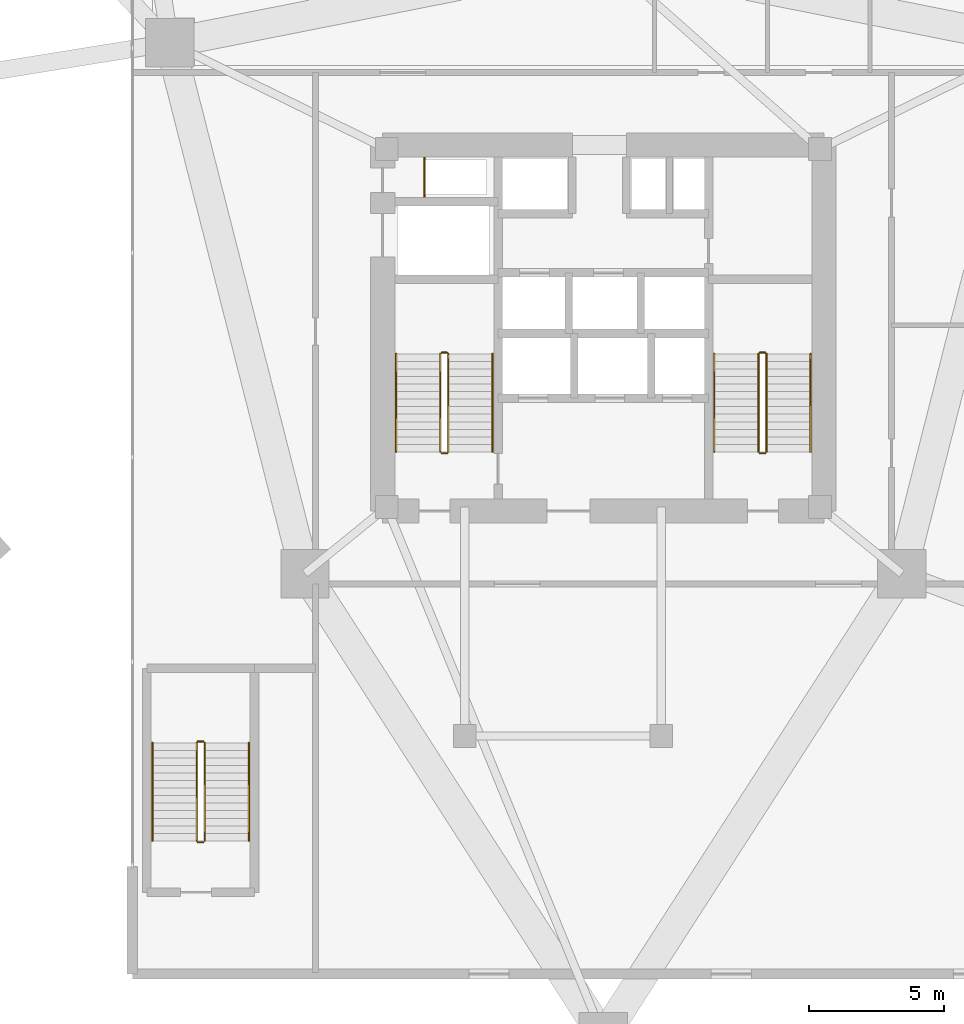
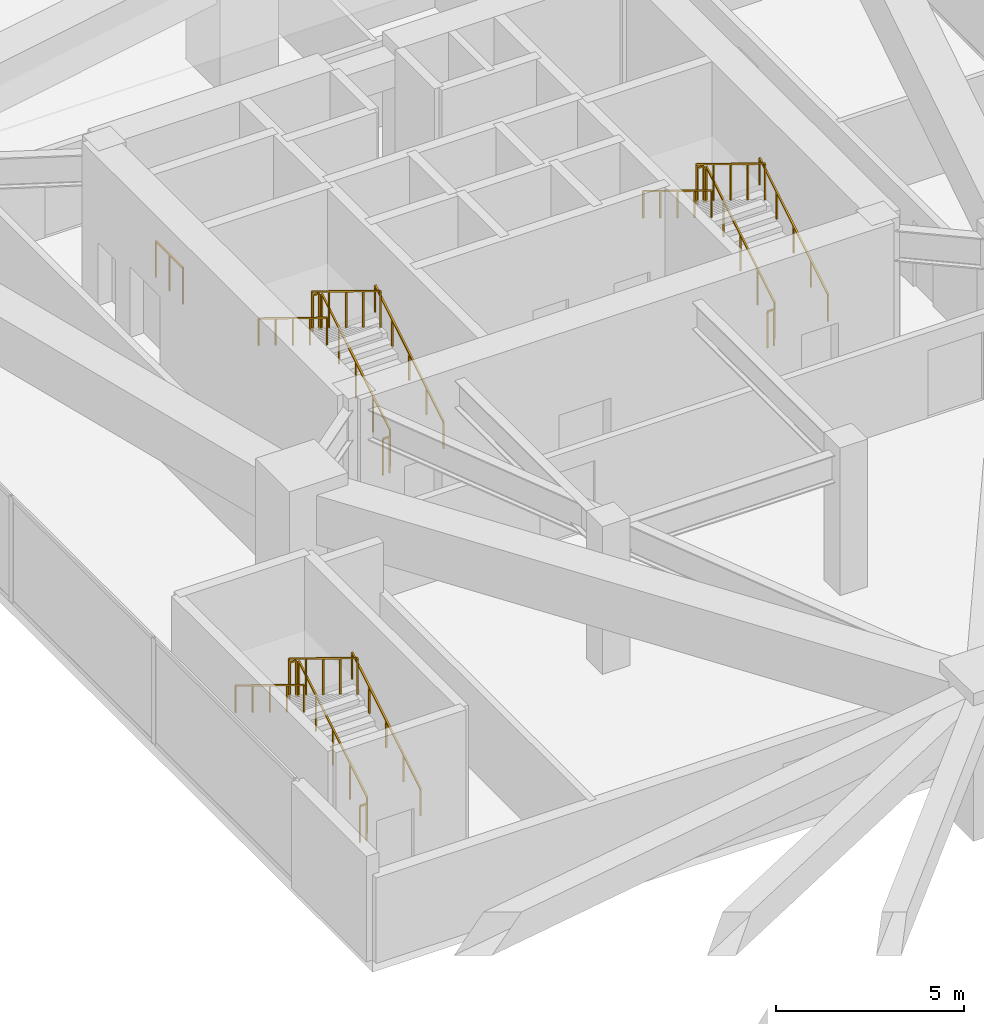
# One storey, part 14 of 15: 19 railings.
"""IFC4 building model written with IfcOpenShell, lengths in metres."""

import ifcopenshell
import ifcopenshell.guid

model = None  # the IFC model being written
_history = None  # IfcOwnerHistory: only IFC2X3 demands one
_inside = {}  # id of a spatial element -> (the spatial element, [elements in it])
_under = {}  # id of a project, library or spatial element -> (it, [spatial elements below it])
_declared = {}  # id of a project -> (the project, [libraries it declares])
_typed = {}  # id of a type object -> (the type object, [elements of that type])
_made_of = {}  # id of a material, layer set ... -> (it, [elements and type objects made of it])


def new_model(schema):
    """Start an empty IFC model of exactly this schema.

    Asked for "IFC4X3", IfcOpenShell would pick the latest addendum, in which some entities
    have other attributes; the version numbers below select the first issue.
    IFC2X3 requires an IfcOwnerHistory on every rooted entity: one is made here for all.
    """
    global model, _history
    if schema == "IFC4X3":
        model = ifcopenshell.file(schema_version=(4, 3, 0, 0))
    else:
        model = ifcopenshell.file(schema=schema)
    _inside.clear()
    _under.clear()
    _declared.clear()
    _typed.clear()
    _made_of.clear()
    _history = None
    if model.schema == "IFC2X3":
        org = make("IfcOrganization", Name="unknown")
        user = make(
            "IfcPersonAndOrganization",
            ThePerson=make("IfcPerson", FamilyName="unknown"),
            TheOrganization=org,
        )
        app = make(
            "IfcApplication",
            ApplicationDeveloper=org,
            Version="unknown",
            ApplicationFullName="unknown",
            ApplicationIdentifier="unknown",
        )
        _history = make(
            "IfcOwnerHistory",
            OwningUser=user,
            OwningApplication=app,
            ChangeAction="ADDED",
            CreationDate=0,
        )
    return model


def make(cls, **values):
    """One entity of the class cls with the attributes given. An attribute that is None is left unset."""
    return model.create_entity(
        cls, **{name: value for name, value in values.items() if value is not None}
    )


def rooted(cls, **values):
    """An entity with a GlobalId (a new one), such as an element, a storey or a relation."""
    return make(cls, GlobalId=ifcopenshell.guid.new(), OwnerHistory=_history, **values)


def si_unit(unit_type, name, prefix=None):
    """IfcSIUnit, for example si_unit("LENGTHUNIT", "METRE", prefix="MILLI")."""
    return make("IfcSIUnit", UnitType=unit_type, Prefix=prefix, Name=name)


def assignment(units):
    """IfcUnitAssignment: the units of a project."""
    return None if units is None else make("IfcUnitAssignment", Units=units)


def point(xyz):
    """IfcCartesianPoint."""
    return None if xyz is None else make("IfcCartesianPoint", Coordinates=xyz)


def direction(xyz):
    """IfcDirection."""
    return None if xyz is None else make("IfcDirection", DirectionRatios=xyz)


def frame(location, z_axis=None, x_axis=None):
    """IfcAxis2Placement3D, a coordinate frame: its origin and axes. An axis left out is left unset."""
    return make(
        "IfcAxis2Placement3D",
        Location=point(location),
        Axis=direction(z_axis),
        RefDirection=direction(x_axis),
    )


def frame_2d(location, x_axis=None):
    """IfcAxis2Placement2D, a coordinate frame in the plane: its origin and x axis."""
    return make(
        "IfcAxis2Placement2D", Location=point(location), RefDirection=direction(x_axis)
    )


def origin():
    """The frame at (0, 0, 0) with its axes left unset."""
    return frame((0.0, 0.0, 0.0))


def origin_2d():
    """The frame at (0, 0) in the plane with its x axis left unset."""
    return frame_2d((0.0, 0.0))


def place(relative_to, where):
    """IfcLocalPlacement: puts the frame where relative to a parent placement (None: the world)."""
    return make(
        "IfcLocalPlacement", PlacementRelTo=relative_to, RelativePlacement=where
    )


def context(
    kind, dimensions, precision=None, world=None, true_north=None, identifier=None
):
    """IfcGeometricRepresentationContext, for example the 3D "Model" context."""
    return make(
        "IfcGeometricRepresentationContext",
        ContextIdentifier=identifier,
        ContextType=kind,
        CoordinateSpaceDimension=dimensions,
        Precision=precision,
        WorldCoordinateSystem=world,
        TrueNorth=true_north,
    )


def subcontext(parent, identifier, kind, view, scale=None):
    """IfcGeometricRepresentationSubContext, for example "Body" below "Model"."""
    return make(
        "IfcGeometricRepresentationSubContext",
        ContextIdentifier=identifier,
        ContextType=kind,
        ParentContext=parent,
        TargetScale=scale,
        TargetView=view,
    )


def project(units=None, contexts=None):
    """IfcProject with its units and contexts."""
    return rooted(
        "IfcProject",
        Name="project",
        RepresentationContexts=contexts,
        UnitsInContext=assignment(units),
    )


def spatial(cls, under=None, at=None, **own):
    """A site, building, storey or space (cls), placed at a placement, below another one or the project."""
    s = rooted(cls, ObjectPlacement=at, **own)
    if under is not None:
        _under.setdefault(under.id(), (under, []))[1].append(s)
    return s


def profile(cls, at=None, kind="AREA", **sizes):
    """A parametric profile (cls). Its sizes go by their IFC names, for example OverallWidth=200.0."""
    return make(cls, ProfileType=kind, Position=at, **sizes)


def rectangle(**sizes):
    """IfcRectangleProfileDef."""
    return profile("IfcRectangleProfileDef", **sizes)


def extrude(swept, where, along, depth):
    """IfcExtrudedAreaSolid: the profile swept, set in the frame where, extruded along a direction by depth."""
    return make(
        "IfcExtrudedAreaSolid",
        SweptArea=swept,
        Position=where,
        ExtrudedDirection=direction(along),
        Depth=depth,
    )


def shape(context_of_items, identifier, shape_type, items):
    """IfcShapeRepresentation: the items that make up one representation, for example the "Body"."""
    return make(
        "IfcShapeRepresentation",
        ContextOfItems=context_of_items,
        RepresentationIdentifier=identifier,
        RepresentationType=shape_type,
        Items=items,
    )


def material(Name=None, Category=None):
    """IfcMaterial."""
    return make("IfcMaterial", Name=Name, Category=Category)


def made_of(thing, what):
    """Note that an element or type object is made of a material, layer set ...; save() writes the relation."""
    if what is not None:
        _made_of.setdefault(what.id(), (what, []))[1].append(thing)
    return thing


def type_object(cls, material=None, **own):
    """A type object (cls), such as IfcWallType, which elements share."""
    return made_of(rooted(cls, **own), material)


def element(
    cls,
    number,
    at=None,
    inside=None,
    cuts=None,
    type_object=None,
    material=None,
    context=None,
    identifier="Body",
    shape_type=None,
    held_by="IfcProductDefinitionShape",
    body=None,
    shapes=None,
    **own,
):
    """One element of the class cls, such as IfcWall. Its Tag is "e" and its number.

    at: its placement. inside: the storey or other place that contains it. cuts: it is an
    opening in that element (IfcRelVoidsElement). A single representation is given by context,
    identifier, shape_type and body (its items); several are given by shapes. held_by: the class
    of the entity that holds the representations. save() writes the other relations.
    """
    e = rooted(cls, Tag="e%d" % number, ObjectPlacement=at, **own)
    if body is not None:
        shapes = [shape(context, identifier, shape_type, body)]
    if shapes is not None:
        e.Representation = make(held_by, Representations=shapes)
    if inside is not None:
        _inside.setdefault(inside.id(), (inside, []))[1].append(e)
    if cuts is not None:
        rooted(
            "IfcRelVoidsElement", RelatingBuildingElement=cuts, RelatedOpeningElement=e
        )
    if type_object is not None:
        _typed.setdefault(type_object.id(), (type_object, []))[1].append(e)
    return made_of(e, material)


def aggregate(whole, parts):
    """IfcRelAggregates: a whole, such as a stair, and the parts it consists of."""
    return rooted("IfcRelAggregates", RelatingObject=whole, RelatedObjects=parts)


def save(model, path):
    """Write the relations noted so far, then the file.

    IfcRelAggregates (storeys below a building ...), IfcRelContainedInSpatialStructure (elements
    in a storey), IfcRelDefinesByType, IfcRelAssociatesMaterial and IfcRelDeclares: one each for
    every whole, place, type object, material and project.
    """
    for whole, parts in _under.values():
        aggregate(whole, parts)
    for where, things in _inside.values():
        rooted(
            "IfcRelContainedInSpatialStructure",
            RelatedElements=things,
            RelatingStructure=where,
        )
    for kind, things in _typed.values():
        rooted("IfcRelDefinesByType", RelatedObjects=things, RelatingType=kind)
    for what, things in _made_of.values():
        rooted("IfcRelAssociatesMaterial", RelatedObjects=things, RelatingMaterial=what)
    for by, libraries in _declared.values():
        rooted("IfcRelDeclares", RelatingContext=by, RelatedDefinitions=libraries)
    model.write(path)


model = new_model("IFC4")

# Units and contexts
model_context = context("Model", 3, precision=1e-05, world=origin(), true_north=direction((0.0, 1.0)))
body_context = subcontext(model_context, "Body", "Model", "MODEL_VIEW")
ifc_project = project(units=[si_unit("LENGTHUNIT", "METRE"), si_unit("AREAUNIT", "SQUARE_METRE"), si_unit("VOLUMEUNIT", "CUBIC_METRE"), si_unit("PLANEANGLEUNIT", "RADIAN"), si_unit("MASSUNIT", "GRAM", prefix="KILO")], contexts=[model_context])

# Site, building, storey
site_placement = place(None, origin())
site = spatial("IfcSite", under=ifc_project, at=site_placement, CompositionType="ELEMENT")
building_placement = place(site_placement, origin())
building = spatial("IfcBuilding", under=site, at=building_placement, Name="Talyreon Biosciences Tower", CompositionType="ELEMENT")
storey_placement = place(building_placement, frame((0.0, 0.0, 5.39990234375)))
storey = spatial("IfcBuildingStorey", under=building, at=storey_placement, Name="L01", CompositionType="ELEMENT", Elevation=5.39990234375)

# Railings
ifc_material_1 = material(Name="Brushed stainless-steel tubular handrail", Category="steel")
railing_type_1 = type_object("IfcRailingType", Name="StairWallHandrail_900", PredefinedType="HANDRAIL", material=ifc_material_1)
railing_1_placement = place(storey_placement, frame((61.8798828125, 63.39990234375, 0.171630859375)))
element("IfcRailing", 1, at=railing_1_placement, inside=storey, type_object=railing_type_1, Name="L01 ST-1 stair handrail 1", PredefinedType="HANDRAIL", context=body_context, shape_type="SweptSolid", body=[
    extrude(rectangle(XDim=0.048095703125, YDim=0.048095703125, at=origin_2d()), frame((0.0, 0.0, 0.8759765625), z_axis=(0.0, 0.852865859571, 0.52213008492), x_axis=(-1.0, 0.0, 0.0)), (0.0, 0.0, 1.0), 4.26806640625),
    extrude(rectangle(XDim=0.0419921875, YDim=0.0419921875, at=origin_2d()), origin(), (0.0, 0.0, 1.0), 0.851806640625),
    extrude(rectangle(XDim=0.0419921875, YDim=0.0419921875, at=origin_2d()), frame((0.0, 0.91015625, 0.55712890625)), (0.0, 0.0, 1.0), 0.851806640625),
    extrude(rectangle(XDim=0.0419921875, YDim=0.0419921875, at=origin_2d()), frame((0.0, 1.820068359375, 1.1142578125)), (0.0, 0.0, 1.0), 0.851806640625),
    extrude(rectangle(XDim=0.0419921875, YDim=0.0419921875, at=origin_2d()), frame((0.0, 2.72998046875, 1.67138671875)), (0.0, 0.0, 1.0), 0.851806640625),
    extrude(rectangle(XDim=0.0419921875, YDim=0.0419921875, at=origin_2d()), frame((0.0, 3.64013671875, 2.228515625)), (0.0, 0.0, 1.0), 0.851806640625),
])
railing_2_placement = place(storey_placement, frame((58.300048828125, 67.0400390625, 2.571533203125)))
element("IfcRailing", 2, at=railing_2_placement, inside=storey, type_object=railing_type_1, Name="L01 ST-1 stair handrail 2", PredefinedType="HANDRAIL", context=body_context, shape_type="SweptSolid", body=[
    extrude(rectangle(XDim=0.048095703125, YDim=0.048095703125, at=origin_2d()), frame((0.0, 0.0, 0.8759765625), z_axis=(0.0, -0.852865859571, 0.52213008492), x_axis=(1.0, 0.0, 0.0)), (0.0, 0.0, 1.0), 4.26806640625),
    extrude(rectangle(XDim=0.0419921875, YDim=0.0419921875, at=origin_2d()), origin(), (0.0, 0.0, 1.0), 0.851806640625),
    extrude(rectangle(XDim=0.0419921875, YDim=0.0419921875, at=origin_2d()), frame((0.0, -0.91015625, 0.55712890625)), (0.0, 0.0, 1.0), 0.851806640625),
    extrude(rectangle(XDim=0.0419921875, YDim=0.0419921875, at=origin_2d()), frame((0.0, -1.820068359375, 1.1142578125)), (0.0, 0.0, 1.0), 0.851806640625),
    extrude(rectangle(XDim=0.0419921875, YDim=0.0419921875, at=origin_2d()), frame((0.0, -2.72998046875, 1.67138671875)), (0.0, 0.0, 1.0), 0.851806640625),
    extrude(rectangle(XDim=0.0419921875, YDim=0.0419921875, at=origin_2d()), frame((0.0, -3.64013671875, 2.228515625)), (0.0, 0.0, 1.0), 0.851806640625),
])
railing_3_placement = place(storey_placement, frame((73.699951171875, 63.39990234375, 0.171630859375)))
element("IfcRailing", 3, at=railing_3_placement, inside=storey, type_object=railing_type_1, Name="L01 ST-2 stair handrail 1", PredefinedType="HANDRAIL", context=body_context, shape_type="SweptSolid", body=[
    extrude(rectangle(XDim=0.048095703125, YDim=0.048095703125, at=origin_2d()), frame((0.0, 0.0, 0.8759765625), z_axis=(0.0, 0.852865859571, 0.52213008492), x_axis=(-1.0, 0.0, 0.0)), (0.0, 0.0, 1.0), 4.26806640625),
    extrude(rectangle(XDim=0.0419921875, YDim=0.0419921875, at=origin_2d()), origin(), (0.0, 0.0, 1.0), 0.851806640625),
    extrude(rectangle(XDim=0.0419921875, YDim=0.0419921875, at=origin_2d()), frame((0.0, 0.91015625, 0.55712890625)), (0.0, 0.0, 1.0), 0.851806640625),
    extrude(rectangle(XDim=0.0419921875, YDim=0.0419921875, at=origin_2d()), frame((0.0, 1.820068359375, 1.1142578125)), (0.0, 0.0, 1.0), 0.851806640625),
    extrude(rectangle(XDim=0.0419921875, YDim=0.0419921875, at=origin_2d()), frame((0.0, 2.72998046875, 1.67138671875)), (0.0, 0.0, 1.0), 0.851806640625),
    extrude(rectangle(XDim=0.0419921875, YDim=0.0419921875, at=origin_2d()), frame((0.0, 3.64013671875, 2.228515625)), (0.0, 0.0, 1.0), 0.851806640625),
])
railing_4_placement = place(storey_placement, frame((70.1201171875, 67.0400390625, 2.571533203125)))
element("IfcRailing", 4, at=railing_4_placement, inside=storey, type_object=railing_type_1, Name="L01 ST-2 stair handrail 2", PredefinedType="HANDRAIL", context=body_context, shape_type="SweptSolid", body=[
    extrude(rectangle(XDim=0.048095703125, YDim=0.048095703125, at=origin_2d()), frame((0.0, 0.0, 0.8759765625), z_axis=(0.0, -0.852865859571, 0.52213008492), x_axis=(1.0, 0.0, 0.0)), (0.0, 0.0, 1.0), 4.26806640625),
    extrude(rectangle(XDim=0.0419921875, YDim=0.0419921875, at=origin_2d()), origin(), (0.0, 0.0, 1.0), 0.851806640625),
    extrude(rectangle(XDim=0.0419921875, YDim=0.0419921875, at=origin_2d()), frame((0.0, -0.91015625, 0.55712890625)), (0.0, 0.0, 1.0), 0.851806640625),
    extrude(rectangle(XDim=0.0419921875, YDim=0.0419921875, at=origin_2d()), frame((0.0, -1.820068359375, 1.1142578125)), (0.0, 0.0, 1.0), 0.851806640625),
    extrude(rectangle(XDim=0.0419921875, YDim=0.0419921875, at=origin_2d()), frame((0.0, -2.72998046875, 1.67138671875)), (0.0, 0.0, 1.0), 0.851806640625),
    extrude(rectangle(XDim=0.0419921875, YDim=0.0419921875, at=origin_2d()), frame((0.0, -3.64013671875, 2.228515625)), (0.0, 0.0, 1.0), 0.851806640625),
])
railing_5_placement = place(storey_placement, frame((52.830078125, 48.949951171875, 0.171630859375)))
element("IfcRailing", 5, at=railing_5_placement, inside=storey, type_object=railing_type_1, Name="L01 ST-3 stair handrail 1", PredefinedType="HANDRAIL", context=body_context, shape_type="SweptSolid", body=[
    extrude(rectangle(XDim=0.048095703125, YDim=0.048095703125, at=origin_2d()), frame((0.0, 0.0, 0.8759765625), z_axis=(0.0, 0.852865859571, 0.52213008492), x_axis=(-1.0, 0.0, 0.0)), (0.0, 0.0, 1.0), 4.26806640625),
    extrude(rectangle(XDim=0.0419921875, YDim=0.0419921875, at=origin_2d()), origin(), (0.0, 0.0, 1.0), 0.851806640625),
    extrude(rectangle(XDim=0.0419921875, YDim=0.0419921875, at=origin_2d()), frame((0.0, 0.91015625, 0.55712890625)), (0.0, 0.0, 1.0), 0.851806640625),
    extrude(rectangle(XDim=0.0419921875, YDim=0.0419921875, at=origin_2d()), frame((0.0, 1.820068359375, 1.1142578125)), (0.0, 0.0, 1.0), 0.851806640625),
    extrude(rectangle(XDim=0.0419921875, YDim=0.0419921875, at=origin_2d()), frame((0.0, 2.72998046875, 1.67138671875)), (0.0, 0.0, 1.0), 0.851806640625),
    extrude(rectangle(XDim=0.0419921875, YDim=0.0419921875, at=origin_2d()), frame((0.0, 3.64013671875, 2.228515625)), (0.0, 0.0, 1.0), 0.851806640625),
])
railing_6_placement = place(storey_placement, frame((49.25, 52.590087890625, 2.571533203125)))
element("IfcRailing", 6, at=railing_6_placement, inside=storey, type_object=railing_type_1, Name="L01 ST-3 stair handrail 2", PredefinedType="HANDRAIL", context=body_context, shape_type="SweptSolid", body=[
    extrude(rectangle(XDim=0.048095703125, YDim=0.048095703125, at=origin_2d()), frame((0.0, 0.0, 0.8759765625), z_axis=(0.0, -0.852865859571, 0.52213008492), x_axis=(1.0, 0.0, 0.0)), (0.0, 0.0, 1.0), 4.26806640625),
    extrude(rectangle(XDim=0.0419921875, YDim=0.0419921875, at=origin_2d()), origin(), (0.0, 0.0, 1.0), 0.851806640625),
    extrude(rectangle(XDim=0.0419921875, YDim=0.0419921875, at=origin_2d()), frame((0.0, -0.91015625, 0.55712890625)), (0.0, 0.0, 1.0), 0.851806640625),
    extrude(rectangle(XDim=0.0419921875, YDim=0.0419921875, at=origin_2d()), frame((0.0, -1.820068359375, 1.1142578125)), (0.0, 0.0, 1.0), 0.851806640625),
    extrude(rectangle(XDim=0.0419921875, YDim=0.0419921875, at=origin_2d()), frame((0.0, -2.72998046875, 1.67138671875)), (0.0, 0.0, 1.0), 0.851806640625),
    extrude(rectangle(XDim=0.0419921875, YDim=0.0419921875, at=origin_2d()), frame((0.0, -3.64013671875, 2.228515625)), (0.0, 0.0, 1.0), 0.851806640625),
])
ifc_material_2 = material(Name="Painted galvanised steel post-and-rail balustrade", Category="steel")
railing_type_2 = type_object("IfcRailingType", Name="TerraceStairGuard_1200", PredefinedType="GUARDRAIL", material=ifc_material_2)
railing_7_placement = place(storey_placement, frame((60.239990234375, 63.39990234375, 0.171630859375)))
element("IfcRailing", 7, at=railing_7_placement, inside=storey, type_object=railing_type_2, Name="L01 ST-1 stair guard 1", PredefinedType="GUARDRAIL", context=body_context, shape_type="SweptSolid", body=[
    extrude(rectangle(XDim=0.048095703125, YDim=0.048095703125, at=origin_2d()), frame((0.0, 0.0, 1.17578125), z_axis=(0.0, 0.852865859571, 0.52213008492), x_axis=(-1.0, 0.0, 0.0)), (0.0, 0.0, 1.0), 4.26806640625),
    extrude(rectangle(XDim=0.0419921875, YDim=0.0419921875, at=origin_2d()), origin(), (0.0, 0.0, 1.0), 1.15185546875),
    extrude(rectangle(XDim=0.0419921875, YDim=0.0419921875, at=origin_2d()), frame((0.0, 0.91015625, 0.55712890625)), (0.0, 0.0, 1.0), 1.15185546875),
    extrude(rectangle(XDim=0.0419921875, YDim=0.0419921875, at=origin_2d()), frame((0.0, 1.820068359375, 1.1142578125)), (0.0, 0.0, 1.0), 1.15185546875),
    extrude(rectangle(XDim=0.0419921875, YDim=0.0419921875, at=origin_2d()), frame((0.0, 2.72998046875, 1.67138671875)), (0.0, 0.0, 1.0), 1.15185546875),
    extrude(rectangle(XDim=0.0419921875, YDim=0.0419921875, at=origin_2d()), frame((0.0, 3.64013671875, 2.228515625)), (0.0, 0.0, 1.0), 1.15185546875),
])
railing_8_placement = place(storey_placement, frame((60.18994140625, 67.090087890625, 2.400146484375)))
element("IfcRailing", 8, at=railing_8_placement, inside=storey, type_object=railing_type_2, Name="L01 ST-1 stair guard 2", PredefinedType="GUARDRAIL", context=body_context, shape_type="SweptSolid", body=[
    extrude(rectangle(XDim=0.048095703125, YDim=0.048095703125, at=origin_2d()), frame((0.0, 0.0, 1.17578125), z_axis=(-1.0, 0.0, 0.0), x_axis=(0.0, -1.0, 0.0)), (0.0, 0.0, 1.0), 0.199951171875),
    extrude(rectangle(XDim=0.0419921875, YDim=0.0419921875, at=origin_2d()), origin(), (0.0, 0.0, 1.0), 1.15185546875),
    extrude(rectangle(XDim=0.0419921875, YDim=0.0419921875, at=origin_2d()), frame((-0.199951171875, 0.0, 0.0)), (0.0, 0.0, 1.0), 1.15185546875),
])
railing_9_placement = place(storey_placement, frame((59.93994140625, 67.0400390625, 2.571533203125)))
element("IfcRailing", 9, at=railing_9_placement, inside=storey, type_object=railing_type_2, Name="L01 ST-1 stair guard 3", PredefinedType="GUARDRAIL", context=body_context, shape_type="SweptSolid", body=[
    extrude(rectangle(XDim=0.048095703125, YDim=0.048095703125, at=origin_2d()), frame((0.0, 0.0, 1.17578125), z_axis=(0.0, -0.852865859571, 0.52213008492), x_axis=(1.0, 0.0, 0.0)), (0.0, 0.0, 1.0), 4.26806640625),
    extrude(rectangle(XDim=0.0419921875, YDim=0.0419921875, at=origin_2d()), origin(), (0.0, 0.0, 1.0), 1.15185546875),
    extrude(rectangle(XDim=0.0419921875, YDim=0.0419921875, at=origin_2d()), frame((0.0, -0.91015625, 0.55712890625)), (0.0, 0.0, 1.0), 1.15185546875),
    extrude(rectangle(XDim=0.0419921875, YDim=0.0419921875, at=origin_2d()), frame((0.0, -1.820068359375, 1.1142578125)), (0.0, 0.0, 1.0), 1.15185546875),
    extrude(rectangle(XDim=0.0419921875, YDim=0.0419921875, at=origin_2d()), frame((0.0, -2.72998046875, 1.67138671875)), (0.0, 0.0, 1.0), 1.15185546875),
    extrude(rectangle(XDim=0.0419921875, YDim=0.0419921875, at=origin_2d()), frame((0.0, -3.64013671875, 2.228515625)), (0.0, 0.0, 1.0), 1.15185546875),
])
railing_10_placement = place(storey_placement, frame((60.18994140625, 63.35009765625, 0.0)))
element("IfcRailing", 10, at=railing_10_placement, inside=storey, type_object=railing_type_2, Name="L01 ST-1 stair guard 4", PredefinedType="GUARDRAIL", context=body_context, shape_type="SweptSolid", body=[
    extrude(rectangle(XDim=0.048095703125, YDim=0.048095703125, at=origin_2d()), frame((0.0, 0.0, 1.17578125), z_axis=(-1.0, 0.0, 0.0), x_axis=(0.0, -1.0, 0.0)), (0.0, 0.0, 1.0), 0.199951171875),
    extrude(rectangle(XDim=0.0419921875, YDim=0.0419921875, at=origin_2d()), origin(), (0.0, 0.0, 1.0), 1.15185546875),
    extrude(rectangle(XDim=0.0419921875, YDim=0.0419921875, at=origin_2d()), frame((-0.199951171875, 0.0, 0.0)), (0.0, 0.0, 1.0), 1.15185546875),
])
railing_11_placement = place(storey_placement, frame((72.06005859375, 63.39990234375, 0.171630859375)))
element("IfcRailing", 11, at=railing_11_placement, inside=storey, type_object=railing_type_2, Name="L01 ST-2 stair guard 1", PredefinedType="GUARDRAIL", context=body_context, shape_type="SweptSolid", body=[
    extrude(rectangle(XDim=0.048095703125, YDim=0.048095703125, at=origin_2d()), frame((0.0, 0.0, 1.17578125), z_axis=(0.0, 0.852865859571, 0.52213008492), x_axis=(-1.0, 0.0, 0.0)), (0.0, 0.0, 1.0), 4.26806640625),
    extrude(rectangle(XDim=0.0419921875, YDim=0.0419921875, at=origin_2d()), origin(), (0.0, 0.0, 1.0), 1.15185546875),
    extrude(rectangle(XDim=0.0419921875, YDim=0.0419921875, at=origin_2d()), frame((0.0, 0.91015625, 0.55712890625)), (0.0, 0.0, 1.0), 1.15185546875),
    extrude(rectangle(XDim=0.0419921875, YDim=0.0419921875, at=origin_2d()), frame((0.0, 1.820068359375, 1.1142578125)), (0.0, 0.0, 1.0), 1.15185546875),
    extrude(rectangle(XDim=0.0419921875, YDim=0.0419921875, at=origin_2d()), frame((0.0, 2.72998046875, 1.67138671875)), (0.0, 0.0, 1.0), 1.15185546875),
    extrude(rectangle(XDim=0.0419921875, YDim=0.0419921875, at=origin_2d()), frame((0.0, 3.64013671875, 2.228515625)), (0.0, 0.0, 1.0), 1.15185546875),
])
railing_12_placement = place(storey_placement, frame((72.010009765625, 67.090087890625, 2.400146484375)))
element("IfcRailing", 12, at=railing_12_placement, inside=storey, type_object=railing_type_2, Name="L01 ST-2 stair guard 2", PredefinedType="GUARDRAIL", context=body_context, shape_type="SweptSolid", body=[
    extrude(rectangle(XDim=0.048095703125, YDim=0.048095703125, at=origin_2d()), frame((0.0, 0.0, 1.17578125), z_axis=(-1.0, 0.0, 0.0), x_axis=(0.0, -1.0, 0.0)), (0.0, 0.0, 1.0), 0.199951171875),
    extrude(rectangle(XDim=0.0419921875, YDim=0.0419921875, at=origin_2d()), origin(), (0.0, 0.0, 1.0), 1.15185546875),
    extrude(rectangle(XDim=0.0419921875, YDim=0.0419921875, at=origin_2d()), frame((-0.199951171875, 0.0, 0.0)), (0.0, 0.0, 1.0), 1.15185546875),
])
railing_13_placement = place(storey_placement, frame((71.760009765625, 67.0400390625, 2.571533203125)))
element("IfcRailing", 13, at=railing_13_placement, inside=storey, type_object=railing_type_2, Name="L01 ST-2 stair guard 3", PredefinedType="GUARDRAIL", context=body_context, shape_type="SweptSolid", body=[
    extrude(rectangle(XDim=0.048095703125, YDim=0.048095703125, at=origin_2d()), frame((0.0, 0.0, 1.17578125), z_axis=(0.0, -0.852865859571, 0.52213008492), x_axis=(1.0, 0.0, 0.0)), (0.0, 0.0, 1.0), 4.26806640625),
    extrude(rectangle(XDim=0.0419921875, YDim=0.0419921875, at=origin_2d()), origin(), (0.0, 0.0, 1.0), 1.15185546875),
    extrude(rectangle(XDim=0.0419921875, YDim=0.0419921875, at=origin_2d()), frame((0.0, -0.91015625, 0.55712890625)), (0.0, 0.0, 1.0), 1.15185546875),
    extrude(rectangle(XDim=0.0419921875, YDim=0.0419921875, at=origin_2d()), frame((0.0, -1.820068359375, 1.1142578125)), (0.0, 0.0, 1.0), 1.15185546875),
    extrude(rectangle(XDim=0.0419921875, YDim=0.0419921875, at=origin_2d()), frame((0.0, -2.72998046875, 1.67138671875)), (0.0, 0.0, 1.0), 1.15185546875),
    extrude(rectangle(XDim=0.0419921875, YDim=0.0419921875, at=origin_2d()), frame((0.0, -3.64013671875, 2.228515625)), (0.0, 0.0, 1.0), 1.15185546875),
])
railing_14_placement = place(storey_placement, frame((72.010009765625, 63.35009765625, 0.0)))
element("IfcRailing", 14, at=railing_14_placement, inside=storey, type_object=railing_type_2, Name="L01 ST-2 stair guard 4", PredefinedType="GUARDRAIL", context=body_context, shape_type="SweptSolid", body=[
    extrude(rectangle(XDim=0.048095703125, YDim=0.048095703125, at=origin_2d()), frame((0.0, 0.0, 1.17578125), z_axis=(-1.0, 0.0, 0.0), x_axis=(0.0, -1.0, 0.0)), (0.0, 0.0, 1.0), 0.199951171875),
    extrude(rectangle(XDim=0.0419921875, YDim=0.0419921875, at=origin_2d()), origin(), (0.0, 0.0, 1.0), 1.15185546875),
    extrude(rectangle(XDim=0.0419921875, YDim=0.0419921875, at=origin_2d()), frame((-0.199951171875, 0.0, 0.0)), (0.0, 0.0, 1.0), 1.15185546875),
])
railing_15_placement = place(storey_placement, frame((51.18994140625, 48.949951171875, 0.171630859375)))
element("IfcRailing", 15, at=railing_15_placement, inside=storey, type_object=railing_type_2, Name="L01 ST-3 stair guard 1", PredefinedType="GUARDRAIL", context=body_context, shape_type="SweptSolid", body=[
    extrude(rectangle(XDim=0.048095703125, YDim=0.048095703125, at=origin_2d()), frame((0.0, 0.0, 1.17578125), z_axis=(0.0, 0.852865859571, 0.52213008492), x_axis=(-1.0, 0.0, 0.0)), (0.0, 0.0, 1.0), 4.26806640625),
    extrude(rectangle(XDim=0.0419921875, YDim=0.0419921875, at=origin_2d()), origin(), (0.0, 0.0, 1.0), 1.15185546875),
    extrude(rectangle(XDim=0.0419921875, YDim=0.0419921875, at=origin_2d()), frame((0.0, 0.91015625, 0.55712890625)), (0.0, 0.0, 1.0), 1.15185546875),
    extrude(rectangle(XDim=0.0419921875, YDim=0.0419921875, at=origin_2d()), frame((0.0, 1.820068359375, 1.1142578125)), (0.0, 0.0, 1.0), 1.15185546875),
    extrude(rectangle(XDim=0.0419921875, YDim=0.0419921875, at=origin_2d()), frame((0.0, 2.72998046875, 1.67138671875)), (0.0, 0.0, 1.0), 1.15185546875),
    extrude(rectangle(XDim=0.0419921875, YDim=0.0419921875, at=origin_2d()), frame((0.0, 3.64013671875, 2.228515625)), (0.0, 0.0, 1.0), 1.15185546875),
])
railing_16_placement = place(storey_placement, frame((51.139892578125, 52.639892578125, 2.400146484375)))
element("IfcRailing", 16, at=railing_16_placement, inside=storey, type_object=railing_type_2, Name="L01 ST-3 stair guard 2", PredefinedType="GUARDRAIL", context=body_context, shape_type="SweptSolid", body=[
    extrude(rectangle(XDim=0.048095703125, YDim=0.048095703125, at=origin_2d()), frame((0.0, 0.0, 1.17578125), z_axis=(-1.0, 0.0, 0.0), x_axis=(0.0, -1.0, 0.0)), (0.0, 0.0, 1.0), 0.199951171875),
    extrude(rectangle(XDim=0.0419921875, YDim=0.0419921875, at=origin_2d()), origin(), (0.0, 0.0, 1.0), 1.15185546875),
    extrude(rectangle(XDim=0.0419921875, YDim=0.0419921875, at=origin_2d()), frame((-0.199951171875, 0.0, 0.0)), (0.0, 0.0, 1.0), 1.15185546875),
])
railing_17_placement = place(storey_placement, frame((50.889892578125, 52.590087890625, 2.571533203125)))
element("IfcRailing", 17, at=railing_17_placement, inside=storey, type_object=railing_type_2, Name="L01 ST-3 stair guard 3", PredefinedType="GUARDRAIL", context=body_context, shape_type="SweptSolid", body=[
    extrude(rectangle(XDim=0.048095703125, YDim=0.048095703125, at=origin_2d()), frame((0.0, 0.0, 1.17578125), z_axis=(0.0, -0.852865859571, 0.52213008492), x_axis=(1.0, 0.0, 0.0)), (0.0, 0.0, 1.0), 4.26806640625),
    extrude(rectangle(XDim=0.0419921875, YDim=0.0419921875, at=origin_2d()), origin(), (0.0, 0.0, 1.0), 1.15185546875),
    extrude(rectangle(XDim=0.0419921875, YDim=0.0419921875, at=origin_2d()), frame((0.0, -0.91015625, 0.55712890625)), (0.0, 0.0, 1.0), 1.15185546875),
    extrude(rectangle(XDim=0.0419921875, YDim=0.0419921875, at=origin_2d()), frame((0.0, -1.820068359375, 1.1142578125)), (0.0, 0.0, 1.0), 1.15185546875),
    extrude(rectangle(XDim=0.0419921875, YDim=0.0419921875, at=origin_2d()), frame((0.0, -2.72998046875, 1.67138671875)), (0.0, 0.0, 1.0), 1.15185546875),
    extrude(rectangle(XDim=0.0419921875, YDim=0.0419921875, at=origin_2d()), frame((0.0, -3.64013671875, 2.228515625)), (0.0, 0.0, 1.0), 1.15185546875),
])
railing_18_placement = place(storey_placement, frame((51.139892578125, 48.89990234375, 0.0)))
element("IfcRailing", 18, at=railing_18_placement, inside=storey, type_object=railing_type_2, Name="L01 ST-3 stair guard 4", PredefinedType="GUARDRAIL", context=body_context, shape_type="SweptSolid", body=[
    extrude(rectangle(XDim=0.048095703125, YDim=0.048095703125, at=origin_2d()), frame((0.0, 0.0, 1.17578125), z_axis=(-1.0, 0.0, 0.0), x_axis=(0.0, -1.0, 0.0)), (0.0, 0.0, 1.0), 0.199951171875),
    extrude(rectangle(XDim=0.0419921875, YDim=0.0419921875, at=origin_2d()), origin(), (0.0, 0.0, 1.0), 1.15185546875),
    extrude(rectangle(XDim=0.0419921875, YDim=0.0419921875, at=origin_2d()), frame((-0.199951171875, 0.0, 0.0)), (0.0, 0.0, 1.0), 1.15185546875),
])
railing_19_placement = place(storey_placement, frame((59.35009765625, 72.8798828125, 0.0)))
element("IfcRailing", 19, at=railing_19_placement, inside=storey, type_object=railing_type_2, Name="L01 Exhaust Riser Maintenance Guardrail", PredefinedType="GUARDRAIL", context=body_context, shape_type="SweptSolid", body=[
    extrude(rectangle(XDim=0.048095703125, YDim=0.048095703125, at=origin_2d()), frame((0.0, 0.0, 1.17578125), z_axis=(0.0, 1.0, 0.0), x_axis=(-1.0, 0.0, 0.0)), (0.0, 0.0, 1.0), 1.4501953125),
    extrude(rectangle(XDim=0.0419921875, YDim=0.0419921875, at=origin_2d()), origin(), (0.0, 0.0, 1.0), 1.15185546875),
    extrude(rectangle(XDim=0.0419921875, YDim=0.0419921875, at=origin_2d()), frame((0.0, 0.72509765625, 0.0)), (0.0, 0.0, 1.0), 1.15185546875),
    extrude(rectangle(XDim=0.0419921875, YDim=0.0419921875, at=origin_2d()), frame((0.0, 1.4501953125, 0.0)), (0.0, 0.0, 1.0), 1.15185546875),
])

save(model, "model.ifc")
